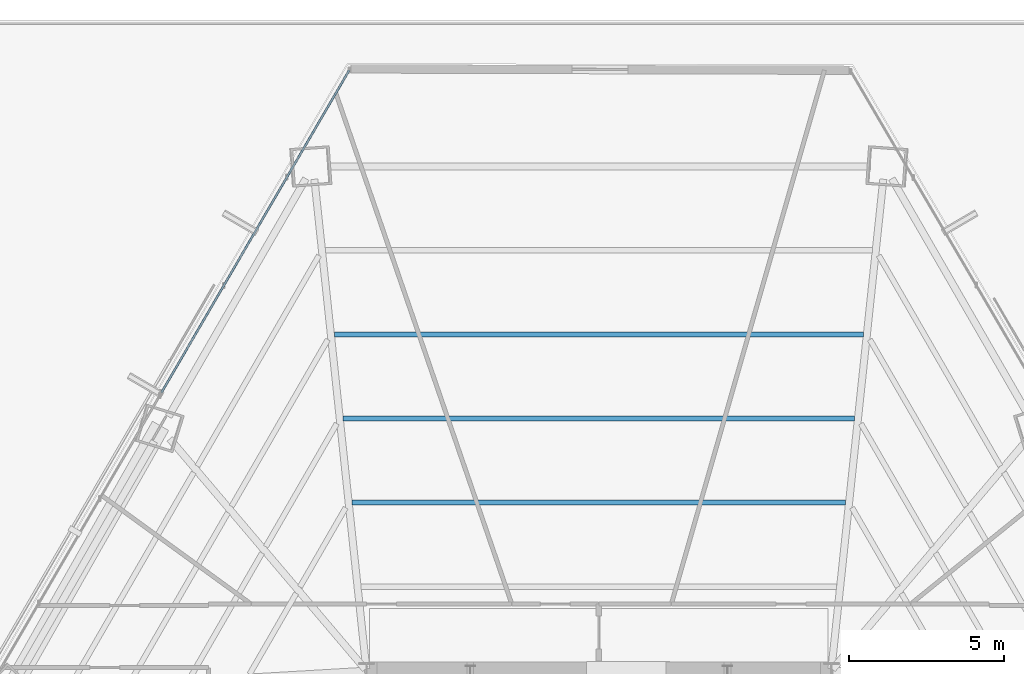
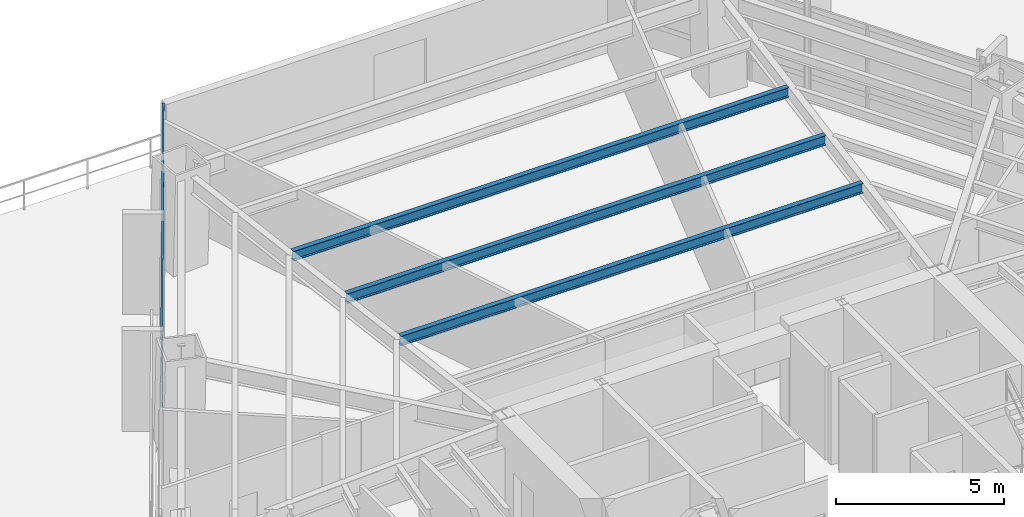
# One storey, part 22 of 35: 3 beams, 2 members, 1 element without a shape of its own.
"""IFC4 building model written with IfcOpenShell, lengths in metres."""

from ifc_helpers import new_model, si_unit, direction, frame, origin, origin_2d, place, context, subcontext, project, spatial, hollow_rectangle, i_section, extrude, source, transform, mapped, material, material_profile, profile_set, type_object, type_shapes, element, aggregate, save


model = new_model("IFC4")

# Units and contexts
model_context = context("Model", 3, precision=1e-05, world=origin(), true_north=direction((0.0, 1.0)))
body_context = subcontext(model_context, "Body", "Model", "MODEL_VIEW")
ifc_project = project(units=[si_unit("LENGTHUNIT", "METRE"), si_unit("AREAUNIT", "SQUARE_METRE"), si_unit("VOLUMEUNIT", "CUBIC_METRE"), si_unit("PLANEANGLEUNIT", "RADIAN"), si_unit("MASSUNIT", "GRAM", prefix="KILO")], contexts=[model_context])

# Site, building, storey
site_placement = place(None, origin())
site = spatial("IfcSite", under=ifc_project, at=site_placement, CompositionType="ELEMENT")
building_placement = place(site_placement, origin())
building = spatial("IfcBuilding", under=site, at=building_placement, Name="Caelisora Broadcast Tower", CompositionType="ELEMENT")
storey_placement = place(building_placement, frame((0.0, 0.0, 27.60009765625)))
storey = spatial("IfcBuildingStorey", under=building, at=storey_placement, Name="L06", CompositionType="ELEMENT", Elevation=27.60009765625)

# Beams
ifc_material_1 = material(Name="Steel Grade 350 (AS/NZS 3679.1)", Category="steel")
ifc_material_profile_1 = material_profile(ifc_material_1, i_section(OverallWidth=0.172119140625, OverallDepth=0.358642578125, WebThickness=0.008056640625, FlangeThickness=0.012939453125, at=origin_2d()), Name="Steel Grade 350 (AS/NZS 3679.1)")
ifc_profile_set_1 = profile_set([ifc_material_profile_1], Name="Steel Grade 350 (AS/NZS 3679.1)")
beam_type = type_object("IfcBeamType", Name="SB02", PredefinedType="JOIST", material=ifc_profile_set_1)
shared_shape_1 = source(origin(), body_context, "Body", "SweptSolid", [
    extrude(i_section(OverallWidth=0.172119140625, OverallDepth=0.358642578125, WebThickness=0.008056640625, FlangeThickness=0.012939453125, at=origin_2d()), origin(), (0.0, 0.0, 1.0), 15.92626953125),
])
beam_1_placement = place(storey_placement, frame((45.963134765625, 35.426025390625, 3.220703125), z_axis=(-1.0, 0.0, 0.0), x_axis=(0.0, -1.0, 0.0)))
element("IfcBeam", 1, at=beam_1_placement, inside=storey, type_object=beam_type, Name="L06 beam SB02", PredefinedType="JOIST", context=body_context, shape_type="MappedRepresentation", body=[
    mapped(shared_shape_1, transform((0.0, 0.0, 0.0), scale=1.0)),
])
shared_shape_2 = source(origin(), body_context, "Body", "SweptSolid", [
    extrude(i_section(OverallWidth=0.172119140625, OverallDepth=0.358642578125, WebThickness=0.008056640625, FlangeThickness=0.012939453125, at=origin_2d()), origin(), (0.0, 0.0, 1.0), 16.5009765625),
])
beam_2_placement = place(storey_placement, frame((46.25048828125, 38.13916015625, 3.220703125), z_axis=(-1.0, 0.0, 0.0), x_axis=(0.0, -1.0, 0.0)))
element("IfcBeam", 2, at=beam_2_placement, inside=storey, type_object=beam_type, Name="L06 beam SB02", PredefinedType="JOIST", context=body_context, shape_type="MappedRepresentation", body=[
    mapped(shared_shape_2, transform((0.0, 0.0, 0.0), scale=1.0)),
])
shared_shape_3 = source(origin(), body_context, "Body", "SweptSolid", [
    extrude(i_section(OverallWidth=0.172119140625, OverallDepth=0.358642578125, WebThickness=0.008056640625, FlangeThickness=0.012939453125, at=origin_2d()), origin(), (0.0, 0.0, 1.0), 17.07568359375),
])
type_shapes(beam_type, [shared_shape_1, shared_shape_2, shared_shape_3])
beam_3_placement = place(storey_placement, frame((46.537841796875, 40.852294921875, 3.220703125), z_axis=(-1.0, 0.0, 0.0), x_axis=(0.0, -1.0, 0.0)))
element("IfcBeam", 3, at=beam_3_placement, inside=storey, type_object=beam_type, Name="L06 beam SB02", PredefinedType="JOIST", context=body_context, shape_type="MappedRepresentation", body=[
    mapped(shared_shape_3, transform((0.0, 0.0, 0.0), scale=1.0)),
])

# Curtain wall, members
ifc_material_2 = material(Name="Unitised Aluminium and Low-E Glass Curtain Wall", Category="glass")
curtain_wall_type = type_object("IfcCurtainWallType", Name="CW-Z1", PredefinedType="NOTDEFINED", material=ifc_material_2)
curtain_wall_placement = place(storey_placement, origin())
curtain_wall = element("IfcCurtainWall", 4, at=curtain_wall_placement, inside=storey, type_object=curtain_wall_type, Name="L06 curtain wall CW-Z1", PredefinedType="NOTDEFINED")
ifc_material_3 = material(Name="Aluminium 6063-T6 Anodised Terracotta Bronze", Category="aluminium")
ifc_material_profile_2 = material_profile(ifc_material_3, hollow_rectangle(XDim=0.06494140625, YDim=0.179931640625, WallThickness=0.00341796875, at=origin_2d()), Name="Aluminium 6063-T6 Anodised Terracotta Bronze")
ifc_profile_set_2 = profile_set([ifc_material_profile_2], Name="Aluminium 6063-T6 Anodised Terracotta Bronze")
member_type = type_object("IfcMemberType", Name="CWT-01", PredefinedType="USERDEFINED", material=ifc_profile_set_2)
shared_shape_4 = source(origin(), body_context, "Body", "SweptSolid", [
    extrude(hollow_rectangle(XDim=0.06494140625, YDim=0.179931640625, WallThickness=0.00341796875, at=origin_2d()), origin(), (0.0, 0.0, 1.0), 12.045166015625),
])
type_shapes(member_type, [shared_shape_4])
member_1_placement = place(storey_placement, frame((23.8828125, 38.97412109375, 0.849853515625), z_axis=(0.503268516986, 0.86413008269, 0.0), x_axis=(-0.86413008269, 0.503268516986, 0.0)))
member_1 = element("IfcMember", 5, at=member_1_placement, type_object=member_type, Name="L06-CW-B11 transom #1", ObjectType="TRANSOM", PredefinedType="USERDEFINED", context=body_context, shape_type="MappedRepresentation", body=[
    mapped(shared_shape_4, transform((0.0, 0.0, 0.0), scale=1.0)),
])
member_2_placement = place(storey_placement, frame((23.8828125, 38.97412109375, 3.31982421875), z_axis=(0.503268516986, 0.86413008269, 0.0), x_axis=(-0.86413008269, 0.503268516986, 0.0)))
member_2 = element("IfcMember", 6, at=member_2_placement, type_object=member_type, Name="L06-CW-B11 transom #2", ObjectType="TRANSOM", PredefinedType="USERDEFINED", context=body_context, shape_type="MappedRepresentation", body=[
    mapped(shared_shape_4, transform((0.0, 0.0, 0.0), scale=1.0)),
])
aggregate(curtain_wall, [member_1, member_2])

save(model, "model.ifc")
